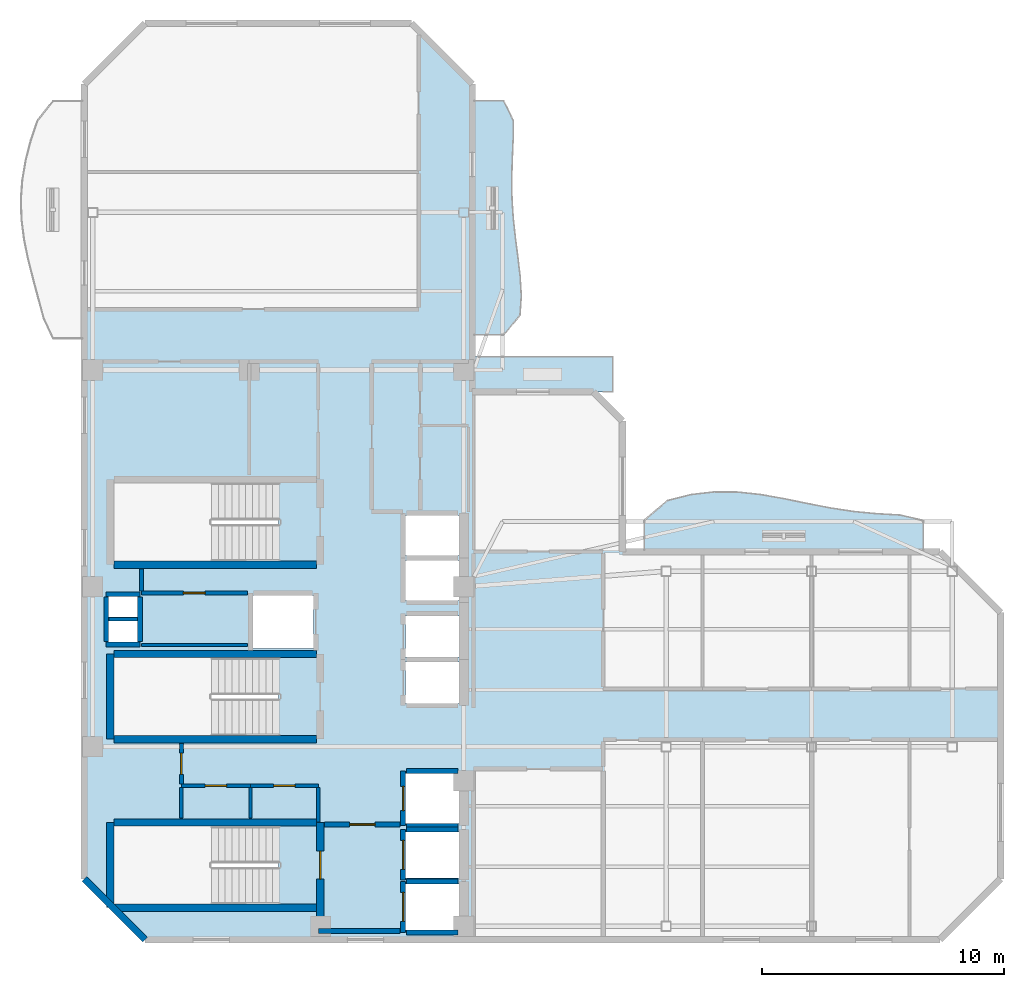
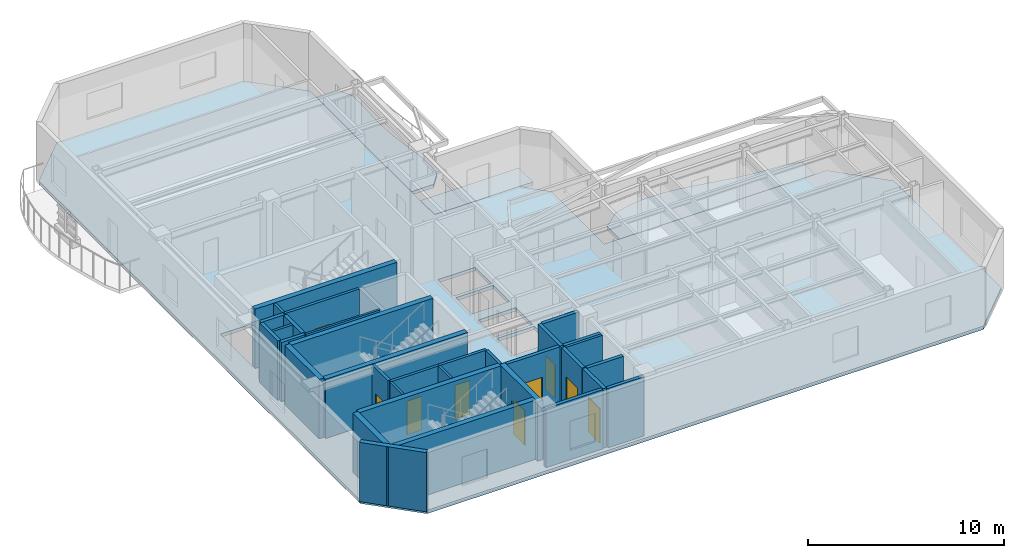
# One storey, part 2 of 8: 33 walls, 9 doors, 4 slabs, 9 openings.
"""IFC4 building model written with IfcOpenShell, lengths in metres."""

from ifc_helpers import new_model, si_unit, direction, frame, frame_2d, origin, place, context, subcontext, project, spatial, polyline, rectangle, outline, extrude, material, layer, layer_set, type_object, element, fill, save


model = new_model("IFC4")

# Units and contexts
model_context = context("Model", 3, precision=1e-05, world=origin(), true_north=direction((0.0, 1.0)))
body_context = subcontext(model_context, "Body", "Model", "MODEL_VIEW")
ifc_project = project(units=[si_unit("LENGTHUNIT", "METRE"), si_unit("AREAUNIT", "SQUARE_METRE"), si_unit("VOLUMEUNIT", "CUBIC_METRE"), si_unit("PLANEANGLEUNIT", "RADIAN"), si_unit("MASSUNIT", "GRAM", prefix="KILO")], contexts=[model_context])

# Site, building, storey
site_placement = place(None, origin())
site = spatial("IfcSite", under=ifc_project, at=site_placement, CompositionType="ELEMENT")
building_placement = place(site_placement, origin())
building = spatial("IfcBuilding", under=site, at=building_placement, Name="Mawjaban Terraces University", CompositionType="ELEMENT")
storey_placement = place(building_placement, frame((0.0, 0.0, 267.699951171875)))
storey = spatial("IfcBuildingStorey", under=building, at=storey_placement, Name="L65", CompositionType="ELEMENT", Elevation=267.699951171875)

# Slabs
ifc_material_1 = material(Name="Concrete C40/50", Category="concrete")
ifc_layer_1 = layer(ifc_material_1, 0.2099609375)
ifc_layer_set_1 = layer_set([ifc_layer_1], Name="Concrete C40/50")
slab_type_1 = type_object("IfcSlabType", Name="BalconySlab_210_Ext", PredefinedType="FLOOR", material=ifc_layer_set_1)
slab_1_placement = place(storey_placement, frame((0.0, 0.0, -0.2099609375)))
element("IfcSlab", 1, at=slab_1_placement, inside=storey, type_object=slab_type_1, Name="L65 Planted Balcony Slab inner_north", PredefinedType="FLOOR", context=body_context, shape_type="SweptSolid", body=[
    extrude(outline(polyline([(45.10009765625, 15.989990234375), (56.60009765625, 15.989990234375), (56.60009765625, 17.300048828125), (55.64208984375, 17.51708984375), (54.68310546875, 17.570068359375), (53.72509765625, 17.6630859375), (52.76708984375, 17.80908203125), (51.80810546875, 17.99609375), (50.85009765625, 18.193115234375), (49.89208984375, 18.362060546875), (48.93310546875, 18.464111328125), (47.97509765625, 18.469970703125), (47.01708984375, 18.35888671875), (46.05810546875, 18.114990234375), (45.10009765625, 17.300048828125), (45.10009765625, 15.989990234375)])), origin(), (0.0, 0.0, 1.0), 0.2099609375),
])
slab_2_placement = place(storey_placement, frame((0.0, 0.0, -0.2099609375)))
element("IfcSlab", 2, at=slab_2_placement, inside=storey, type_object=slab_type_1, Name="L65 Planted Balcony Slab inner_east", PredefinedType="FLOOR", context=body_context, shape_type="SweptSolid", body=[
    extrude(outline(polyline([(39.300048828125, 24.949951171875), (39.968017578125, 25.75390625), (40.02294921875, 26.55810546875), (39.97509765625, 27.363037109375), (39.881103515625, 28.1669921875), (39.777099609375, 28.970947265625), (39.68994140625, 29.77490234375), (39.638916015625, 30.5791015625), (39.6279296875, 31.383056640625), (39.65087890625, 32.18798828125), (39.68603515625, 32.991943359375), (39.68798828125, 33.7958984375), (39.300048828125, 34.60009765625), (37.989990234375, 34.60009765625), (37.989990234375, 24.949951171875), (39.300048828125, 24.949951171875)])), origin(), (0.0, 0.0, 1.0), 0.2099609375),
])
ifc_layer_2 = layer(ifc_material_1, 0.2099609375)
ifc_layer_set_2 = layer_set([ifc_layer_2], Name="Concrete C40/50")
slab_type_2 = type_object("IfcSlabType", Name="CompositeSlab_210", PredefinedType="FLOOR", material=ifc_layer_set_2)
slab_3_placement = place(storey_placement, frame((0.0, 0.0, -0.2099609375)))
element("IfcSlab", 3, at=slab_3_placement, inside=storey, type_object=slab_type_2, Name="L65 Primary Structural Slab", PredefinedType="FLOOR", context=body_context, shape_type="SweptSolid", body=[
    extrude(outline(polyline([(24.5, 0.0), (57.300048828125, 0.0), (59.800048828125, 2.5), (59.800048828125, 13.5), (57.300048828125, 16.0), (44.199951171875, 16.0), (44.199951171875, 21.39990234375), (43.0, 22.60009765625), (38.0, 22.60009765625), (38.0, 35.300048828125), (35.5, 37.800048828125), (24.5, 37.800048828125), (22.0, 35.300048828125), (22.0, 2.5), (24.5, 0.0)]), holes=[polyline([(30.014892578125, 4.699951171875), (23.199951171875, 4.699951171875), (23.199951171875, 1.449951171875), (30.014892578125, 1.449951171875), (30.014892578125, 4.699951171875)]), polyline([(30.014892578125, 18.85009765625), (23.199951171875, 18.85009765625), (23.199951171875, 15.60009765625), (30.014892578125, 15.60009765625), (30.014892578125, 18.85009765625)]), polyline([(30.014892578125, 11.64990234375), (23.199951171875, 11.64990234375), (23.199951171875, 8.39990234375), (30.014892578125, 8.39990234375), (30.014892578125, 11.64990234375)]), polyline([(35.25, 0.39990234375), (37.449951171875, 0.39990234375), (37.449951171875, 2.300048828125), (35.25, 2.300048828125), (35.25, 0.39990234375)]), polyline([(35.25, 2.550048828125), (37.449951171875, 2.550048828125), (37.449951171875, 4.449951171875), (35.25, 4.449951171875), (35.25, 2.550048828125)]), polyline([(35.25, 4.800048828125), (37.449951171875, 4.800048828125), (37.449951171875, 6.85009765625), (35.25, 6.85009765625), (35.25, 4.800048828125)]), polyline([(35.25, 9.75), (37.449951171875, 9.75), (37.449951171875, 11.449951171875), (35.25, 11.449951171875), (35.25, 9.75)]), polyline([(35.25, 11.64990234375), (37.449951171875, 11.64990234375), (37.449951171875, 13.35009765625), (35.25, 13.35009765625), (35.25, 11.64990234375)]), polyline([(28.949951171875, 12.0), (31.449951171875, 12.0), (31.449951171875, 14.199951171875), (28.949951171875, 14.199951171875), (28.949951171875, 12.0)]), polyline([(35.25, 14.0), (37.449951171875, 14.0), (37.449951171875, 15.64990234375), (35.25, 15.64990234375), (35.25, 14.0)]), polyline([(35.25, 15.85009765625), (37.449951171875, 15.85009765625), (37.449951171875, 17.5), (35.25, 17.5), (35.25, 15.85009765625)]), polyline([(23.0, 12.25), (24.199951171875, 12.25), (24.199951171875, 13.14990234375), (23.0, 13.14990234375), (23.0, 12.25)]), polyline([(23.0, 13.300048828125), (24.199951171875, 13.300048828125), (24.199951171875, 14.179931640625), (23.0, 14.179931640625), (23.0, 13.300048828125)])]), origin(), (0.0, 0.0, 1.0), 0.2099609375),
])
ifc_layer_3 = layer(ifc_material_1, 0.2099609375)
ifc_layer_set_3 = layer_set([ifc_layer_3], Name="Concrete C40/50")
slab_type_3 = type_object("IfcSlabType", Name="StudyTerraceSlab_210_Ext", PredefinedType="FLOOR", material=ifc_layer_set_3)
slab_4_placement = place(storey_placement, frame((0.0, 0.0, -0.2099609375)))
element("IfcSlab", 4, at=slab_4_placement, inside=storey, type_object=slab_type_3, Name="L65 Exterior Study Terrace Slab", PredefinedType="FLOOR", context=body_context, shape_type="SweptSolid", body=[
    extrude(outline(polyline([(38.0, 22.60009765625), (43.800048828125, 22.60009765625), (43.800048828125, 24.050048828125), (38.0, 24.050048828125), (38.0, 22.60009765625)])), origin(), (0.0, 0.0, 1.0), 0.2099609375),
])

# Wall, opening, door
ifc_material_2 = material(Name="Fire-rated gypsum board on steel stud", Category="steel")
ifc_layer_4 = layer(ifc_material_2, 0.159912109375)
ifc_layer_set_4 = layer_set([ifc_layer_4], Name="Fire-rated gypsum board on steel stud")
wall_type_1 = type_object("IfcWallType", Name="CorridorPartition_160", PredefinedType="PARTITIONING", material=ifc_layer_set_4)
wall_1_placement = place(storey_placement, frame((24.35009765625, 14.300048828125, 0.0), z_axis=(0.0, 0.0, 1.0), x_axis=(1.0, 0.0, 0.0)))
wall_1 = element("IfcWall", 5, at=wall_1_placement, inside=storey, type_object=wall_type_1, Name="L65 Core Riser Access Passage Partition 2", PredefinedType="PARTITIONING", context=body_context, shape_type="SweptSolid", body=[
    extrude(rectangle(XDim=4.369873046875, YDim=0.159912109375, at=frame_2d((2.18505859375, 0.0))), origin(), (0.0, 0.0, 1.0), 3.68994140625),
])
opening_1_placement = place(wall_1_placement, frame((1.735107421875, 0.0, 0.0)))
opening_1 = element("IfcOpeningElement", 6, at=opening_1_placement, cuts=wall_1, Name="Opening ID-090", PredefinedType="OPENING", context=body_context, shape_type="SweptSolid", body=[
    extrude(rectangle(XDim=0.89990234375, YDim=2.10009765625, at=frame_2d((0.449951171875, 1.050048828125))), frame((0.0, 0.08984375, 0.0), z_axis=(0.0, -1.0, 0.0), x_axis=(1.0, 0.0, 0.0)), (0.0, 0.0, 1.0), 0.179931640625),
])
ifc_material_3 = material(Name="Powder-coated steel frame and solid acoustic timber leaf", Category="steel")
door_type_1 = type_object("IfcDoorType", Name="OfficeDoor_900x2100", OperationType="NOTDEFINED", PredefinedType="DOOR", material=ifc_material_3)
door_1_placement = place(opening_1_placement, origin())
door_1 = element("IfcDoor", 7, at=door_1_placement, inside=storey, type_object=door_type_1, Name="L65 Cleaner Store Door", OperationType="SINGLE_SWING_RIGHT", OverallHeight=2.10009765625, OverallWidth=0.89990234375, PredefinedType="DOOR", context=body_context, shape_type="SweptSolid", body=[
    extrude(rectangle(XDim=0.89990234375, YDim=2.10009765625, at=frame_2d((0.449951171875, 1.050048828125))), frame((0.0, 0.02490234375, 0.0), z_axis=(0.0, -1.0, 0.0), x_axis=(1.0, 0.0, 0.0)), (0.0, 0.0, 1.0), 0.050048828125),
])
fill(opening_1, door_1)

wall_2_placement = place(storey_placement, frame((26.0, 6.35009765625, 0.0), z_axis=(0.0, 0.0, 1.0), x_axis=(1.0, 0.0, 0.0)))
wall_2 = element("IfcWall", 8, at=wall_2_placement, inside=storey, type_object=wall_type_1, Name="L65 Core Washroom Lobby Partition 3", PredefinedType="PARTITIONING", context=body_context, shape_type="SweptSolid", body=[
    extrude(rectangle(XDim=2.85009765625, YDim=0.159912109375, at=frame_2d((1.425048828125, 0.0))), origin(), (0.0, 0.0, 1.0), 3.68994140625),
])
opening_2_placement = place(wall_2_placement, frame((0.985107421875, 0.0, 0.0)))
opening_2 = element("IfcOpeningElement", 9, at=opening_2_placement, cuts=wall_2, Name="Opening ID-088", PredefinedType="OPENING", context=body_context, shape_type="SweptSolid", body=[
    extrude(rectangle(XDim=0.8798828125, YDim=2.10009765625, at=frame_2d((0.43994140625, 1.050048828125))), frame((0.0, 0.08984375, 0.0), z_axis=(0.0, -1.0, 0.0), x_axis=(1.0, 0.0, 0.0)), (0.0, 0.0, 1.0), 0.179931640625),
])
door_type_2 = type_object("IfcDoorType", Name="ToiletDoor_880x2100", OperationType="NOTDEFINED", PredefinedType="DOOR", material=ifc_material_3)
door_2_placement = place(opening_2_placement, origin())
door_2 = element("IfcDoor", 10, at=door_2_placement, inside=storey, type_object=door_type_2, Name="L65 Male Toilet Door", OperationType="SINGLE_SWING_RIGHT", OverallHeight=2.10009765625, OverallWidth=0.8798828125, PredefinedType="DOOR", context=body_context, shape_type="SweptSolid", body=[
    extrude(rectangle(XDim=0.8798828125, YDim=2.10009765625, at=frame_2d((0.43994140625, 1.050048828125))), frame((0.0, 0.02490234375, 0.0), z_axis=(0.0, -1.0, 0.0), x_axis=(1.0, 0.0, 0.0)), (0.0, 0.0, 1.0), 0.050048828125),
])
fill(opening_2, door_2)

wall_3_placement = place(storey_placement, frame((28.85009765625, 6.35009765625, 0.0), z_axis=(0.0, 0.0, 1.0), x_axis=(1.0, 0.0, 0.0)))
wall_3 = element("IfcWall", 11, at=wall_3_placement, inside=storey, type_object=wall_type_1, Name="L65 Core Washroom Lobby Partition 5", PredefinedType="PARTITIONING", context=body_context, shape_type="SweptSolid", body=[
    extrude(rectangle(XDim=2.7998046875, YDim=0.159912109375, at=frame_2d((1.39990234375, 0.0))), origin(), (0.0, 0.0, 1.0), 3.68994140625),
])
opening_3_placement = place(wall_3_placement, frame((0.9599609375, 0.0, 0.0)))
opening_3 = element("IfcOpeningElement", 12, at=opening_3_placement, cuts=wall_3, Name="Opening ID-088", PredefinedType="OPENING", context=body_context, shape_type="SweptSolid", body=[
    extrude(rectangle(XDim=0.8798828125, YDim=2.10009765625, at=frame_2d((0.43994140625, 1.050048828125))), frame((0.0, 0.08984375, 0.0), z_axis=(0.0, -1.0, 0.0), x_axis=(1.0, 0.0, 0.0)), (0.0, 0.0, 1.0), 0.179931640625),
])
door_3_placement = place(opening_3_placement, origin())
door_3 = element("IfcDoor", 13, at=door_3_placement, inside=storey, type_object=door_type_2, Name="L65 Accessible Toilet Door", OperationType="SINGLE_SWING_LEFT", OverallHeight=2.10009765625, OverallWidth=0.8798828125, PredefinedType="DOOR", context=body_context, shape_type="SweptSolid", body=[
    extrude(rectangle(XDim=0.8798828125, YDim=2.10009765625, at=frame_2d((0.43994140625, 1.050048828125))), frame((0.0, 0.02490234375, 0.0), z_axis=(0.0, -1.0, 0.0), x_axis=(1.0, 0.0, 0.0)), (0.0, 0.0, 1.0), 0.050048828125),
])
fill(opening_3, door_3)

# Wall
wall_4_placement = place(storey_placement, frame((24.35009765625, 15.2900390625, 0.0), z_axis=(0.0, 0.0, 1.0), x_axis=(0.0, -1.0, 0.0)))
element("IfcWall", 14, at=wall_4_placement, inside=storey, type_object=wall_type_1, Name="L65 Core Riser Access Passage Partition 25", PredefinedType="PARTITIONING", context=body_context, shape_type="SweptSolid", body=[
    extrude(rectangle(XDim=0.9150390625, YDim=0.159912109375, at=frame_2d((0.45751953125, 0.0))), origin(), (0.0, 0.0, 1.0), 3.68994140625),
])

# Wall, opening, door
wall_5_placement = place(storey_placement, frame((26.0, 8.090087890625, 0.0), z_axis=(0.0, 0.0, 1.0), x_axis=(0.0, -1.0, 0.0)))
wall_5 = element("IfcWall", 15, at=wall_5_placement, inside=storey, type_object=wall_type_1, Name="L65 Core Washroom Lobby Partition 27", PredefinedType="PARTITIONING", context=body_context, shape_type="SweptSolid", body=[
    extrude(rectangle(XDim=1.6650390625, YDim=0.159912109375, at=frame_2d((0.83251953125, 0.0))), origin(), (0.0, 0.0, 1.0), 3.68994140625),
])
opening_4_placement = place(wall_5_placement, frame((0.39306640625, 0.0, 0.0)))
opening_4 = element("IfcOpeningElement", 16, at=opening_4_placement, cuts=wall_5, Name="Opening ID-088", PredefinedType="OPENING", context=body_context, shape_type="SweptSolid", body=[
    extrude(rectangle(XDim=0.8798828125, YDim=2.10009765625, at=frame_2d((0.43994140625, 1.050048828125))), frame((0.0, 0.08984375, 0.0), z_axis=(0.0, -1.0, 0.0), x_axis=(1.0, 0.0, 0.0)), (0.0, 0.0, 1.0), 0.179931640625),
])
door_4_placement = place(opening_4_placement, origin())
door_4 = element("IfcDoor", 17, at=door_4_placement, inside=storey, type_object=door_type_2, Name="L65 Ablution Room Door", OperationType="SINGLE_SWING_LEFT", OverallHeight=2.10009765625, OverallWidth=0.8798828125, PredefinedType="DOOR", context=body_context, shape_type="SweptSolid", body=[
    extrude(rectangle(XDim=0.8798828125, YDim=2.10009765625, at=frame_2d((0.43994140625, 1.050048828125))), frame((0.0, 0.02490234375, 0.0), z_axis=(0.0, -1.0, 0.0), x_axis=(1.0, 0.0, 0.0)), (0.0, 0.0, 1.0), 0.050048828125),
])
fill(opening_4, door_4)

# Walls
wall_6_placement = place(storey_placement, frame((31.64990234375, 4.860107421875, 0.0), z_axis=(0.0, 0.0, 1.0), x_axis=(0.0, 1.0, 0.0)))
element("IfcWall", 18, at=wall_6_placement, inside=storey, type_object=wall_type_1, Name="L65 Accessible Toilet Partition 30", PredefinedType="PARTITIONING", context=body_context, shape_type="SweptSolid", body=[
    extrude(rectangle(XDim=1.414794921875, YDim=0.159912109375, at=frame_2d((0.70751953125, 0.0))), origin(), (0.0, 0.0, 1.0), 3.68994140625),
])
ifc_material_4 = material(Name="Insulated terracotta rainscreen on concrete backup C40/50", Category="masonry")
ifc_layer_5 = layer(ifc_material_4, 0.27490234375)
ifc_layer_set_5 = layer_set([ifc_layer_5], Name="Insulated terracotta rainscreen on concrete backup C40/50")
wall_type_2 = type_object("IfcWallType", Name="ExtTerracottaWall_275", PredefinedType="SOLIDWALL", material=ifc_layer_set_5)
wall_7_placement = place(storey_placement, frame((22.0, 2.5, 0.0), z_axis=(0.0, 0.0, 1.0), x_axis=(0.707106781187, -0.707106781187, 0.0)))
element("IfcWall", 19, at=wall_7_placement, inside=storey, type_object=wall_type_2, Name="L65 Exterior Terracotta Wall 14", PredefinedType="SOLIDWALL", context=body_context, shape_type="SweptSolid", body=[
    extrude(rectangle(XDim=3.53564453125, YDim=0.27490234375, at=frame_2d((1.767822265625, 0.0))), origin(), (0.0, 0.0, 1.0), 3.68994140625),
])

# Wall, opening, door
ifc_layer_6 = layer(ifc_material_1, 0.199951171875)
ifc_layer_set_6 = layer_set([ifc_layer_6], Name="Concrete C40/50")
wall_type_3 = type_object("IfcWallType", Name="FireLobbyWall_200", PredefinedType="SOLIDWALL", material=ifc_layer_set_6)
wall_8_placement = place(storey_placement, frame((35.14990234375, 2.39990234375, 0.0), z_axis=(0.0, 0.0, 1.0), x_axis=(0.0, -1.0, 0.0)))
wall_8 = element("IfcWall", 20, at=wall_8_placement, inside=storey, type_object=wall_type_3, Name="L65 Lift FL-1 Hoistway Wall West", PredefinedType="SOLIDWALL", context=body_context, shape_type="SweptSolid", body=[
    extrude(rectangle(XDim=2.099853515625, YDim=0.199951171875, at=frame_2d((1.0498046875, 0.0))), origin(), (0.0, 0.0, 1.0), 3.68994140625),
])
opening_5_placement = place(wall_8_placement, frame((0.449951171875, 0.0, 0.0)))
opening_5 = element("IfcOpeningElement", 21, at=opening_5_placement, cuts=wall_8, Name="Opening LD-FL-1", PredefinedType="OPENING", context=body_context, shape_type="SweptSolid", body=[
    extrude(rectangle(XDim=1.199951171875, YDim=2.14990234375, at=frame_2d((0.60009765625, 1.074951171875))), frame((0.0, 0.10986328125, 0.0), z_axis=(0.0, -1.0, 0.0), x_axis=(1.0, 0.0, 0.0)), (0.0, 0.0, 1.0), 0.219970703125),
])
ifc_material_5 = material(Name="Powder-coated steel frame and fire-rated steel-faced leaf", Category="steel")
door_type_3 = type_object("IfcDoorType", Name="LiftLandingFSAE_1200x2150", OperationType="NOTDEFINED", PredefinedType="DOOR", material=ifc_material_5)
door_5_placement = place(opening_5_placement, origin())
door_5 = element("IfcDoor", 22, at=door_5_placement, inside=storey, type_object=door_type_3, Name="L65 Lift FL-1 Sliding Landing Door", OperationType="DOUBLE_DOOR_SLIDING", OverallHeight=2.14990234375, OverallWidth=1.199951171875, PredefinedType="DOOR", context=body_context, shape_type="SweptSolid", body=[
    extrude(rectangle(XDim=1.199951171875, YDim=2.14990234375, at=frame_2d((0.60009765625, 1.074951171875))), frame((0.0, 0.02490234375, 0.0), z_axis=(0.0, -1.0, 0.0), x_axis=(1.0, 0.0, 0.0)), (0.0, 0.0, 1.0), 0.050048828125),
])
fill(opening_5, door_5)

# Walls
for number, where, z_axis, x_axis, name in (
    (23, (35.280029296875, 0.300048828125, 0.0), (0.0, 0.0, 1.0), (1.0, 0.0, 0.0), "L65 Lift FL-1 Hoistway Wall South"),
    (24, (37.419921875, 2.39990234375, 0.0), (0.0, 0.0, 1.0), (-1.0, 0.0, 0.0), "L65 Lift FL-1 Hoistway Wall North"),
):
    element("IfcWall", number, at=place(storey_placement, frame(where, z_axis=z_axis, x_axis=x_axis)), inside=storey, type_object=wall_type_3, Name=name, PredefinedType="SOLIDWALL", context=body_context, shape_type="SweptSolid", body=[
        extrude(rectangle(XDim=2.139892578125, YDim=0.199951171875, at=frame_2d((1.06982421875, 0.0))), origin(), (0.0, 0.0, 1.0), 3.68994140625),
    ])

# Wall, opening, door
wall_9_placement = place(storey_placement, frame((35.14990234375, 4.550048828125, 0.0), z_axis=(0.0, 0.0, 1.0), x_axis=(0.0, -1.0, 0.0)))
wall_9 = element("IfcWall", 25, at=wall_9_placement, inside=storey, type_object=wall_type_3, Name="L65 Lift FL-2 Hoistway Wall West", PredefinedType="SOLIDWALL", context=body_context, shape_type="SweptSolid", body=[
    extrude(rectangle(XDim=2.10009765625, YDim=0.199951171875, at=frame_2d((1.050048828125, 0.0))), origin(), (0.0, 0.0, 1.0), 3.68994140625),
])
opening_6_placement = place(wall_9_placement, frame((0.449951171875, 0.0, 0.0)))
opening_6 = element("IfcOpeningElement", 26, at=opening_6_placement, cuts=wall_9, Name="Opening LD-FL-2", PredefinedType="OPENING", context=body_context, shape_type="SweptSolid", body=[
    extrude(rectangle(XDim=1.199951171875, YDim=2.14990234375, at=frame_2d((0.60009765625, 1.074951171875))), frame((0.0, 0.10986328125, 0.0), z_axis=(0.0, -1.0, 0.0), x_axis=(1.0, 0.0, 0.0)), (0.0, 0.0, 1.0), 0.219970703125),
])
door_6_placement = place(opening_6_placement, origin())
door_6 = element("IfcDoor", 27, at=door_6_placement, inside=storey, type_object=door_type_3, Name="L65 Lift FL-2 Sliding Landing Door", OperationType="DOUBLE_DOOR_SLIDING", OverallHeight=2.14990234375, OverallWidth=1.199951171875, PredefinedType="DOOR", context=body_context, shape_type="SweptSolid", body=[
    extrude(rectangle(XDim=1.199951171875, YDim=2.14990234375, at=frame_2d((0.60009765625, 1.074951171875))), frame((0.0, 0.02490234375, 0.0), z_axis=(0.0, -1.0, 0.0), x_axis=(1.0, 0.0, 0.0)), (0.0, 0.0, 1.0), 0.050048828125),
])
fill(opening_6, door_6)

# Wall
wall_10_placement = place(storey_placement, frame((37.419921875, 4.550048828125, 0.0), z_axis=(0.0, 0.0, 1.0), x_axis=(-1.0, 0.0, 0.0)))
element("IfcWall", 28, at=wall_10_placement, inside=storey, type_object=wall_type_3, Name="L65 Lift FL-2 Hoistway Wall North", PredefinedType="SOLIDWALL", context=body_context, shape_type="SweptSolid", body=[
    extrude(rectangle(XDim=2.139892578125, YDim=0.199951171875, at=frame_2d((1.06982421875, 0.0))), origin(), (0.0, 0.0, 1.0), 3.68994140625),
])

# Wall, opening, door
wall_11_placement = place(storey_placement, frame((35.14990234375, 6.949951171875, 0.0), z_axis=(0.0, 0.0, 1.0), x_axis=(0.0, -1.0, 0.0)))
wall_11 = element("IfcWall", 29, at=wall_11_placement, inside=storey, type_object=wall_type_3, Name="L65 Lift SL-1 Hoistway Wall West", PredefinedType="SOLIDWALL", context=body_context, shape_type="SweptSolid", body=[
    extrude(rectangle(XDim=2.25, YDim=0.199951171875, at=frame_2d((1.125, 0.0))), origin(), (0.0, 0.0, 1.0), 3.68994140625),
])
opening_7_placement = place(wall_11_placement, frame((0.625, 0.0, 0.0)))
opening_7 = element("IfcOpeningElement", 30, at=opening_7_placement, cuts=wall_11, Name="Opening LD-SL-1", PredefinedType="OPENING", context=body_context, shape_type="SweptSolid", body=[
    extrude(rectangle(XDim=1.0, YDim=2.10009765625, at=frame_2d((0.5, 1.050048828125))), frame((0.0, 0.10986328125, 0.0), z_axis=(0.0, -1.0, 0.0), x_axis=(1.0, 0.0, 0.0)), (0.0, 0.0, 1.0), 0.219970703125),
])
door_type_4 = type_object("IfcDoorType", Name="LiftLandingSliding_1000x2100", OperationType="NOTDEFINED", PredefinedType="DOOR", material=ifc_material_5)
door_7_placement = place(opening_7_placement, origin())
door_7 = element("IfcDoor", 31, at=door_7_placement, inside=storey, type_object=door_type_4, Name="L65 Lift SL-1 Sliding Landing Door", OperationType="DOUBLE_DOOR_SLIDING", OverallHeight=2.10009765625, OverallWidth=1.0, PredefinedType="DOOR", context=body_context, shape_type="SweptSolid", body=[
    extrude(rectangle(XDim=1.0, YDim=2.10009765625, at=frame_2d((0.5, 1.050048828125))), frame((0.0, 0.02490234375, 0.0), z_axis=(0.0, -1.0, 0.0), x_axis=(1.0, 0.0, 0.0)), (0.0, 0.0, 1.0), 0.050048828125),
])
fill(opening_7, door_7)

# Walls
for number, where, z_axis, x_axis, name in (
    (32, (35.280029296875, 4.699951171875, 0.0), (0.0, 0.0, 1.0), (1.0, 0.0, 0.0), "L65 Lift SL-1 Hoistway Wall South"),
    (33, (37.419921875, 6.949951171875, 0.0), (0.0, 0.0, 1.0), (-1.0, 0.0, 0.0), "L65 Lift SL-1 Hoistway Wall North"),
):
    element("IfcWall", number, at=place(storey_placement, frame(where, z_axis=z_axis, x_axis=x_axis)), inside=storey, type_object=wall_type_3, Name=name, PredefinedType="SOLIDWALL", context=body_context, shape_type="SweptSolid", body=[
        extrude(rectangle(XDim=2.139892578125, YDim=0.199951171875, at=frame_2d((1.06982421875, 0.0))), origin(), (0.0, 0.0, 1.0), 3.68994140625),
    ])
for number, where, z_axis, x_axis, name in (
    (34, (22.89990234375, 14.25, 0.0), (0.0, 0.0, 1.0), (1.0, 0.0, 0.0), "L65 MEP Riser Shaft Wall N"),
    (35, (22.89990234375, 12.179931640625, 0.0), (0.0, 0.0, 1.0), (1.0, 0.0, 0.0), "L65 MEP Riser Shaft Wall S"),
):
    element("IfcWall", number, at=place(storey_placement, frame(where, z_axis=z_axis, x_axis=x_axis)), inside=storey, type_object=wall_type_3, Name=name, PredefinedType="SOLIDWALL", context=body_context, shape_type="SweptSolid", body=[
        extrude(rectangle(XDim=1.400146484375, YDim=0.199951171875, at=frame_2d((0.7001953125, 0.0))), origin(), (0.0, 0.0, 1.0), 3.68994140625),
    ])
for number, where, z_axis, x_axis, name in (
    (36, (24.300048828125, 12.300048828125, 0.0), (0.0, 0.0, 1.0), (0.0, 1.0, 0.0), "L65 MEP Riser Shaft Wall E"),
    (37, (22.89990234375, 12.300048828125, 0.0), (0.0, 0.0, 1.0), (0.0, 1.0, 0.0), "L65 MEP Riser Shaft Wall W"),
):
    element("IfcWall", number, at=place(storey_placement, frame(where, z_axis=z_axis, x_axis=x_axis)), inside=storey, type_object=wall_type_3, Name=name, PredefinedType="SOLIDWALL", context=body_context, shape_type="SweptSolid", body=[
        extrude(rectangle(XDim=1.829833984375, YDim=0.199951171875, at=frame_2d((0.9150390625, 0.0))), origin(), (0.0, 0.0, 1.0), 3.68994140625),
    ])
wall_12_placement = place(storey_placement, frame((31.64990234375, 0.35009765625, 0.0), z_axis=(0.0, 0.0, 1.0), x_axis=(1.0, 0.0, 0.0)))
element("IfcWall", 38, at=wall_12_placement, inside=storey, type_object=wall_type_3, Name="L65 Firefighting Lift Lobby Partition 6", PredefinedType="SOLIDWALL", context=body_context, shape_type="SweptSolid", body=[
    extrude(rectangle(XDim=3.3701171875, YDim=0.199951171875, at=frame_2d((1.68505859375, 0.0))), origin(), (0.0, 0.0, 1.0), 3.68994140625),
])

# Wall, opening, door
wall_13_placement = place(storey_placement, frame((35.02001953125, 4.75, 0.0), z_axis=(0.0, 0.0, 1.0), x_axis=(-1.0, 0.0, 0.0)))
wall_13 = element("IfcWall", 39, at=wall_13_placement, inside=storey, type_object=wall_type_3, Name="L65 Firefighting Lift Lobby Partition 9", PredefinedType="SOLIDWALL", context=body_context, shape_type="SweptSolid", body=[
    extrude(rectangle(XDim=3.110107421875, YDim=0.199951171875, at=frame_2d((1.55517578125, 0.0))), origin(), (0.0, 0.0, 1.0), 3.68994140625),
])
opening_8_placement = place(wall_13_placement, frame((1.030029296875, 0.0, 0.0)))
opening_8 = element("IfcOpeningElement", 40, at=opening_8_placement, cuts=wall_13, Name="Opening FD-105", PredefinedType="OPENING", context=body_context, shape_type="SweptSolid", body=[
    extrude(rectangle(XDim=1.050048828125, YDim=2.14990234375, at=frame_2d((0.52490234375, 1.074951171875))), frame((0.0, 0.10986328125, 0.0), z_axis=(0.0, -1.0, 0.0), x_axis=(1.0, 0.0, 0.0)), (0.0, 0.0, 1.0), 0.219970703125),
])
door_type_5 = type_object("IfcDoorType", Name="FireLobbyDoor_1050x2150", OperationType="NOTDEFINED", PredefinedType="DOOR", material=ifc_material_5)
door_8_placement = place(opening_8_placement, origin())
door_8 = element("IfcDoor", 41, at=door_8_placement, inside=storey, type_object=door_type_5, Name="L65 Firefighting Lift Lobby Door", OperationType="SINGLE_SWING_RIGHT", OverallHeight=2.14990234375, OverallWidth=1.050048828125, PredefinedType="DOOR", context=body_context, shape_type="SweptSolid", body=[
    extrude(rectangle(XDim=1.050048828125, YDim=2.14990234375, at=frame_2d((0.52490234375, 1.074951171875))), frame((0.0, 0.02490234375, 0.0), z_axis=(0.0, -1.0, 0.0), x_axis=(1.0, 0.0, 0.0)), (0.0, 0.0, 1.0), 0.050048828125),
])
fill(opening_8, door_8)

# Walls
ifc_material_6 = material(Name="Moisture-resistant gypsum board on steel stud", Category="steel")
ifc_layer_7 = layer(ifc_material_6, 0.14501953125)
ifc_layer_set_7 = layer_set([ifc_layer_7], Name="Moisture-resistant gypsum board on steel stud")
wall_type_4 = type_object("IfcWallType", Name="LabPartition_145", PredefinedType="PARTITIONING", material=ifc_layer_set_7)
wall_14_placement = place(storey_placement, frame((23.010009765625, 13.22509765625, 0.0), z_axis=(0.0, 0.0, 1.0), x_axis=(1.0, 0.0, 0.0)))
element("IfcWall", 42, at=wall_14_placement, inside=storey, type_object=wall_type_4, Name="L65 MEP Riser Shaft Wall M", PredefinedType="PARTITIONING", context=body_context, shape_type="SweptSolid", body=[
    extrude(rectangle(XDim=1.179931640625, YDim=0.14501953125, at=frame_2d((0.58984375, 0.0))), origin(), (0.0, 0.0, 1.0), 3.68994140625),
])
ifc_material_7 = material(Name="Gypsum plasterboard on steel stud", Category="steel")
ifc_layer_8 = layer(ifc_material_7, 0.125)
ifc_layer_set_8 = layer_set([ifc_layer_8], Name="Gypsum plasterboard on steel stud")
wall_type_5 = type_object("IfcWallType", Name="OfficePartition_125", PredefinedType="PARTITIONING", material=ifc_layer_set_8)
wall_15_placement = place(storey_placement, frame((24.35009765625, 12.14990234375, 0.0), z_axis=(0.0, 0.0, 1.0), x_axis=(1.0, 0.0, 0.0)))
element("IfcWall", 43, at=wall_15_placement, inside=storey, type_object=wall_type_5, Name="L65 Cleaner Store Partition 1", PredefinedType="PARTITIONING", context=body_context, shape_type="SweptSolid", body=[
    extrude(rectangle(XDim=4.369873046875, YDim=0.125, at=frame_2d((2.18505859375, 0.0))), origin(), (0.0, 0.0, 1.0), 3.68994140625),
])
ifc_material_8 = material(Name="Concrete C60/75", Category="concrete")
ifc_layer_9 = layer(ifc_material_8, 0.300048828125)
ifc_layer_set_9 = layer_set([ifc_layer_9], Name="Concrete C60/75")
wall_type_6 = type_object("IfcWallType", Name="StairShaftWall_300", PredefinedType="SHEAR", material=ifc_layer_set_9)
wall_16_placement = place(storey_placement, frame((31.580078125, 4.830078125, 0.0), z_axis=(0.0, 0.0, 1.0), x_axis=(-1.0, 0.0, 0.0)))
element("IfcWall", 44, at=wall_16_placement, inside=storey, type_object=wall_type_6, Name="L65 ST-1 Stair Shaft Wall 1", PredefinedType="SHEAR", context=body_context, shape_type="SweptSolid", body=[
    extrude(rectangle(XDim=8.360107421875, YDim=0.300048828125, at=frame_2d((4.18017578125, 0.0))), origin(), (0.0, 0.0, 1.0), 3.68994140625),
])
wall_17_placement = place(storey_placement, frame((23.070068359375, 4.830078125, 0.0), z_axis=(0.0, 0.0, 1.0), x_axis=(0.0, -1.0, 0.0)))
element("IfcWall", 45, at=wall_17_placement, inside=storey, type_object=wall_type_6, Name="L65 ST-1 Stair Shaft Wall 2", PredefinedType="SHEAR", context=body_context, shape_type="SweptSolid", body=[
    extrude(rectangle(XDim=3.510009765625, YDim=0.300048828125, at=frame_2d((1.7548828125, 0.0))), origin(), (0.0, 0.0, 1.0), 3.68994140625),
])
wall_18_placement = place(storey_placement, frame((23.219970703125, 1.320068359375, 0.0), z_axis=(0.0, 0.0, 1.0), x_axis=(1.0, 0.0, 0.0)))
element("IfcWall", 46, at=wall_18_placement, inside=storey, type_object=wall_type_6, Name="L65 ST-1 Stair Shaft Wall 3", PredefinedType="SHEAR", context=body_context, shape_type="SweptSolid", body=[
    extrude(rectangle(XDim=8.360107421875, YDim=0.300048828125, at=frame_2d((4.18017578125, 0.0))), origin(), (0.0, 0.0, 1.0), 3.68994140625),
])

# Wall, opening, door
wall_19_placement = place(storey_placement, frame((31.72998046875, 0.9599609375, 0.0), z_axis=(0.0, 0.0, 1.0), x_axis=(0.0, 1.0, 0.0)))
wall_19 = element("IfcWall", 47, at=wall_19_placement, inside=storey, type_object=wall_type_6, Name="L65 ST-1 Stair Shaft Wall 4", PredefinedType="SHEAR", context=body_context, shape_type="SweptSolid", body=[
    extrude(rectangle(XDim=3.8701171875, YDim=0.300048828125, at=frame_2d((1.93505859375, 0.0))), origin(), (0.0, 0.0, 1.0), 3.68994140625),
])
opening_9_placement = place(wall_19_placement, frame((1.5400390625, 0.0, 0.0)))
opening_9 = element("IfcOpeningElement", 48, at=opening_9_placement, cuts=wall_19, Name="Opening FD-115", PredefinedType="OPENING", context=body_context, shape_type="SweptSolid", body=[
    extrude(rectangle(XDim=1.14990234375, YDim=2.14990234375, at=frame_2d((0.574951171875, 1.074951171875))), frame((0.0, 0.159912109375, 0.0), z_axis=(0.0, -1.0, 0.0), x_axis=(1.0, 0.0, 0.0)), (0.0, 0.0, 1.0), 0.320068359375),
])
door_type_6 = type_object("IfcDoorType", Name="FireStairDoor_1150x2150", OperationType="NOTDEFINED", PredefinedType="DOOR", material=ifc_material_5)
door_9_placement = place(opening_9_placement, origin())
door_9 = element("IfcDoor", 49, at=door_9_placement, inside=storey, type_object=door_type_6, Name="L65 ST-1 Pressurised Stair Fire Door", OperationType="SINGLE_SWING_LEFT", OverallHeight=2.14990234375, OverallWidth=1.14990234375, PredefinedType="DOOR", context=body_context, shape_type="SweptSolid", body=[
    extrude(rectangle(XDim=1.14990234375, YDim=2.14990234375, at=frame_2d((0.574951171875, 1.074951171875))), frame((0.0, 0.02490234375, 0.0), z_axis=(0.0, -1.0, 0.0), x_axis=(1.0, 0.0, 0.0)), (0.0, 0.0, 1.0), 0.050048828125),
])
fill(opening_9, door_9)

# Walls
for number, where, z_axis, x_axis, name in (
    (50, (23.219970703125, 15.469970703125, 0.0), (0.0, 0.0, 1.0), (1.0, 0.0, 0.0), "L65 ST-2 Stair Shaft Wall 3"),
    (51, (31.580078125, 11.780029296875, 0.0), (0.0, 0.0, 1.0), (-1.0, 0.0, 0.0), "L65 ST-3 Stair Shaft Wall 1"),
):
    element("IfcWall", number, at=place(storey_placement, frame(where, z_axis=z_axis, x_axis=x_axis)), inside=storey, type_object=wall_type_6, Name=name, PredefinedType="SHEAR", context=body_context, shape_type="SweptSolid", body=[
        extrude(rectangle(XDim=8.360107421875, YDim=0.300048828125, at=frame_2d((4.18017578125, 0.0))), origin(), (0.0, 0.0, 1.0), 3.68994140625),
    ])
wall_20_placement = place(storey_placement, frame((23.070068359375, 11.780029296875, 0.0), z_axis=(0.0, 0.0, 1.0), x_axis=(0.0, -1.0, 0.0)))
element("IfcWall", 52, at=wall_20_placement, inside=storey, type_object=wall_type_6, Name="L65 ST-3 Stair Shaft Wall 2", PredefinedType="SHEAR", context=body_context, shape_type="SweptSolid", body=[
    extrude(rectangle(XDim=3.510009765625, YDim=0.300048828125, at=frame_2d((1.7548828125, 0.0))), origin(), (0.0, 0.0, 1.0), 3.68994140625),
])
wall_21_placement = place(storey_placement, frame((23.219970703125, 8.27001953125, 0.0), z_axis=(0.0, 0.0, 1.0), x_axis=(1.0, 0.0, 0.0)))
element("IfcWall", 53, at=wall_21_placement, inside=storey, type_object=wall_type_6, Name="L65 ST-3 Stair Shaft Wall 3", PredefinedType="SHEAR", context=body_context, shape_type="SweptSolid", body=[
    extrude(rectangle(XDim=8.360107421875, YDim=0.300048828125, at=frame_2d((4.18017578125, 0.0))), origin(), (0.0, 0.0, 1.0), 3.68994140625),
])
ifc_material_9 = material(Name="Cement-board wet-room partition", Category="masonry")
ifc_layer_10 = layer(ifc_material_9, 0.135009765625)
ifc_layer_set_10 = layer_set([ifc_layer_10], Name="Cement-board wet-room partition")
wall_type_7 = type_object("IfcWallType", Name="WetRoomPartition_135", PredefinedType="PARTITIONING", material=ifc_layer_set_10)
for number, where, z_axis, x_axis, name in (
    (54, (26.0, 5.010009765625, 0.0), (0.0, 0.0, 1.0), (0.0, 1.0, 0.0), "L65 Ablution Room Partition 26"),
    (55, (28.85009765625, 5.010009765625, 0.0), (0.0, 0.0, 1.0), (0.0, 1.0, 0.0), "L65 Male Toilet Partition 29"),
):
    element("IfcWall", number, at=place(storey_placement, frame(where, z_axis=z_axis, x_axis=x_axis)), inside=storey, type_object=wall_type_7, Name=name, PredefinedType="PARTITIONING", context=body_context, shape_type="SweptSolid", body=[
        extrude(rectangle(XDim=1.264892578125, YDim=0.135009765625, at=frame_2d((0.63232421875, 0.0))), origin(), (0.0, 0.0, 1.0), 3.68994140625),
    ])

save(model, "model.ifc")
